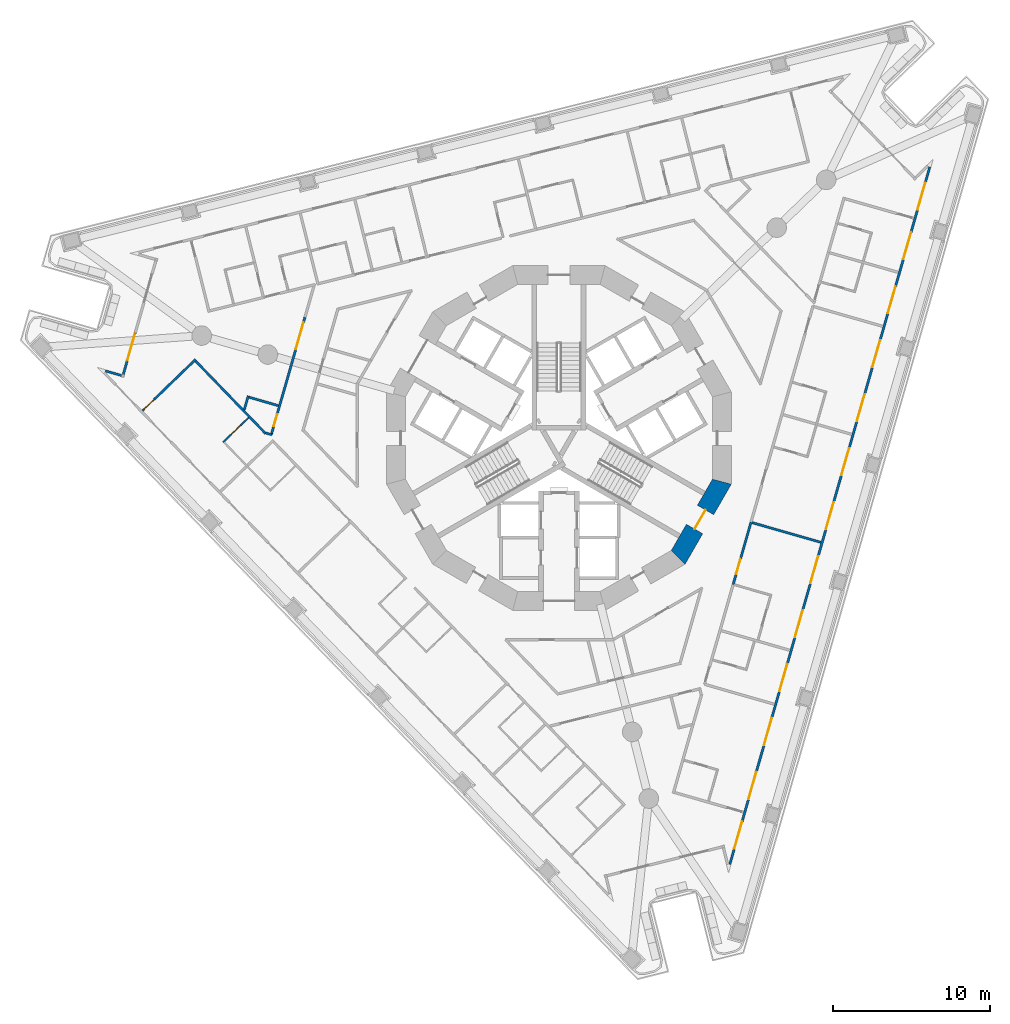
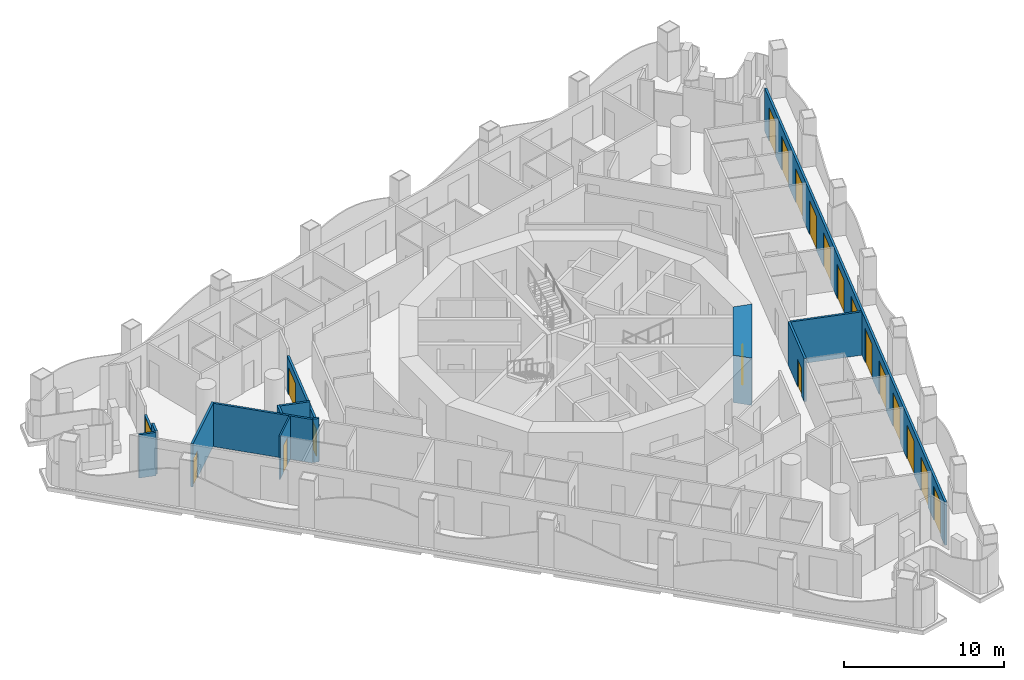
# One storey, part 5 of 18: 20 doors, 14 walls, 20 openings.
"""IFC4 building model written with IfcOpenShell, lengths in metres."""

from ifc_helpers import new_model, si_unit, direction, frame, frame_2d, origin, place, context, subcontext, project, spatial, polyline, rectangle, outline, extrude, material, layer, layer_set, type_object, element, fill, save


model = new_model("IFC4")

# Units and contexts
model_context = context("Model", 3, precision=1e-05, world=origin(), true_north=direction((0.0, 1.0)))
body_context = subcontext(model_context, "Body", "Model", "MODEL_VIEW")
ifc_project = project(units=[si_unit("LENGTHUNIT", "METRE"), si_unit("AREAUNIT", "SQUARE_METRE"), si_unit("VOLUMEUNIT", "CUBIC_METRE"), si_unit("PLANEANGLEUNIT", "RADIAN"), si_unit("MASSUNIT", "GRAM", prefix="KILO")], contexts=[model_context])

# Site, building, storey
site_placement = place(None, origin())
site = spatial("IfcSite", under=ifc_project, at=site_placement, CompositionType="ELEMENT")
building_placement = place(site_placement, origin())
building = spatial("IfcBuilding", under=site, at=building_placement, Name="Trine Commons Tower", CompositionType="ELEMENT")
storey_placement = place(building_placement, frame((0.0, 0.0, 90.89990234375)))
storey = spatial("IfcBuildingStorey", under=building, at=storey_placement, Name="L22", CompositionType="ELEMENT", Elevation=90.89990234375)

# Walls
ifc_material_1 = material(Name="Aluminium-framed insulated wall panel", Category="aluminium")
ifc_layer_1 = layer(ifc_material_1, 0.14990234375)
ifc_layer_set_1 = layer_set([ifc_layer_1], Name="Aluminium-framed insulated wall panel")
wall_type_1 = type_object("IfcWallType", Name="Glazed frame wall 150, EI 60", PredefinedType="SOLIDWALL", material=ifc_layer_set_1)
wall_1_placement = place(storey_placement, frame((50.88232421875, 66.82861328125, 0.0), z_axis=(0.0, 0.0, 1.0), x_axis=(0.961290718071, -0.275536123495, 0.0)))
element("IfcWall", 1, at=wall_1_placement, inside=storey, type_object=wall_type_1, Name="Glazed frame wall R1", PredefinedType="SOLIDWALL", context=body_context, shape_type="SweptSolid", body=[
    extrude(outline(polyline([(0.1494140625, 0.074951171875), (0.1494140625, -0.074951171875), (1.235107421875, -0.074951171875), (1.235107421875, 0.074951171875), (0.1494140625, 0.074951171875)])), origin(), (0.0, 0.0, 1.0), 3.300048828125),
])
wall_2_placement = place(storey_placement, frame((52.1318359375, 66.433837890625, 0.0), z_axis=(0.0, 0.0, 1.0), x_axis=(0.27588175927, 0.961191580749, 0.0)))
element("IfcWall", 2, at=wall_2_placement, inside=storey, type_object=wall_type_1, Name="Glazed frame wall P1.1", PredefinedType="SOLIDWALL", context=body_context, shape_type="SweptSolid", body=[
    extrude(outline(polyline([(0.110107421875, -0.074951171875), (1.0, -0.074951171875), (1.0, 0.074951171875), (0.110107421875, 0.074951171875), (0.110107421875, -0.074951171875)])), origin(), (0.0, 0.0, 1.0), 3.300048828125),
])

# Wall, opening, door
wall_3_placement = place(storey_placement, frame((52.40771484375, 67.39501953125, 0.0), z_axis=(0.0, 0.0, 1.0), x_axis=(0.275620468433, 0.961266538157, 0.0)))
wall_3 = element("IfcWall", 3, at=wall_3_placement, inside=storey, type_object=wall_type_1, Name="Glazed frame wall P1.2", PredefinedType="SOLIDWALL", context=body_context, shape_type="SweptSolid", body=[
    extrude(outline(polyline([(0.0, -0.074951171875), (1.89990234375, -0.074951171875), (1.89990234375, 0.074951171875), (0.0, 0.074951171875), (0.0, -0.074951171875)])), origin(), (0.0, 0.0, 1.0), 2.650146484375),
])
opening_1_placement = place(wall_3_placement, frame((0.050048828125, 0.0, 0.0)))
opening_1 = element("IfcOpeningElement", 4, at=opening_1_placement, cuts=wall_3, Name="Opening BD-3P1-01", PredefinedType="OPENING", context=body_context, shape_type="SweptSolid", body=[
    extrude(rectangle(XDim=1.800048828125, YDim=2.60009765625, at=frame_2d((0.89990234375, 1.300048828125))), frame((0.0, 0.0849609375, 0.0), z_axis=(0.0, -1.0, 0.0), x_axis=(1.0, 0.0, 0.0)), (0.0, 0.0, 1.0), 0.169921875),
])
ifc_material_2 = material(Name="Anodised aluminium frame with double glazing", Category="aluminium")
door_type_1 = type_object("IfcDoorType", Name="Sliding loggia door 1800x2600", OperationType="SLIDING_TO_LEFT", PredefinedType="DOOR", material=ifc_material_2)
door_1_placement = place(opening_1_placement, origin())
door_1 = element("IfcDoor", 5, at=door_1_placement, inside=storey, type_object=door_type_1, Name="Loggia door P1 1", OperationType="SLIDING_TO_LEFT", OverallHeight=2.60009765625, OverallWidth=1.800048828125, PredefinedType="DOOR", context=body_context, shape_type="SweptSolid", body=[
    extrude(rectangle(XDim=1.800048828125, YDim=2.60009765625, at=frame_2d((0.89990234375, 1.300048828125))), frame((0.0, 0.02490234375, 0.0), z_axis=(0.0, -1.0, 0.0), x_axis=(1.0, 0.0, 0.0)), (0.0, 0.0, 1.0), 0.050048828125),
])
fill(opening_1, door_1)

# Wall, openings, doors
wall_4_placement = place(storey_placement, frame((103.735107421875, 79.95703125, 0.0), z_axis=(0.0, 0.0, 1.0), x_axis=(-0.275637625225, -0.961261618687, 0.0)))
wall_4 = element("IfcWall", 6, at=wall_4_placement, inside=storey, type_object=wall_type_1, Name="Glazed frame wall F2", PredefinedType="SOLIDWALL", context=body_context, shape_type="SweptSolid", body=[
    extrude(outline(polyline([(0.1494140625, 0.074951171875), (0.1494140625, -0.074951171875), (46.496826171875, -0.074951171875), (46.496826171875, 0.074951171875), (0.1494140625, 0.074951171875)])), origin(), (0.0, 0.0, 1.0), 3.300048828125),
])
opening_2_placement = place(wall_4_placement, frame((1.194091796875, 0.0, 0.0)))
opening_2 = element("IfcOpeningElement", 7, at=opening_2_placement, cuts=wall_4, Name="Opening BD-3F2-01", PredefinedType="OPENING", context=body_context, shape_type="SweptSolid", body=[
    extrude(rectangle(XDim=1.800048828125, YDim=2.60009765625, at=frame_2d((0.89990234375, 1.300048828125))), frame((0.0, 0.0849609375, 0.0), z_axis=(0.0, -1.0, 0.0), x_axis=(1.0, 0.0, 0.0)), (0.0, 0.0, 1.0), 0.169921875),
])
opening_3_placement = place(wall_4_placement, frame((4.482421875, 0.0, 0.0)))
opening_3 = element("IfcOpeningElement", 8, at=opening_3_placement, cuts=wall_4, Name="Opening BD-3F2-02", PredefinedType="OPENING", context=body_context, shape_type="SweptSolid", body=[
    extrude(rectangle(XDim=1.800048828125, YDim=2.60009765625, at=frame_2d((0.89990234375, 1.300048828125))), frame((0.0, 0.0849609375, 0.0), z_axis=(0.0, -1.0, 0.0), x_axis=(1.0, 0.0, 0.0)), (0.0, 0.0, 1.0), 0.169921875),
])
opening_4_placement = place(wall_4_placement, frame((8.070556640625, 0.0, 0.0)))
opening_4 = element("IfcOpeningElement", 9, at=opening_4_placement, cuts=wall_4, Name="Opening BD-3F2-03", PredefinedType="OPENING", context=body_context, shape_type="SweptSolid", body=[
    extrude(rectangle(XDim=1.800048828125, YDim=2.60009765625, at=frame_2d((0.89990234375, 1.300048828125))), frame((0.0, 0.0849609375, 0.0), z_axis=(0.0, -1.0, 0.0), x_axis=(1.0, 0.0, 0.0)), (0.0, 0.0, 1.0), 0.169921875),
])
opening_5_placement = place(wall_4_placement, frame((11.65869140625, 0.0, 0.0)))
opening_5 = element("IfcOpeningElement", 10, at=opening_5_placement, cuts=wall_4, Name="Opening BD-3F2-04", PredefinedType="OPENING", context=body_context, shape_type="SweptSolid", body=[
    extrude(rectangle(XDim=1.800048828125, YDim=2.60009765625, at=frame_2d((0.89990234375, 1.300048828125))), frame((0.0, 0.0849609375, 0.0), z_axis=(0.0, -1.0, 0.0), x_axis=(1.0, 0.0, 0.0)), (0.0, 0.0, 1.0), 0.169921875),
])
opening_6_placement = place(wall_4_placement, frame((15.246826171875, 0.0, 0.0)))
opening_6 = element("IfcOpeningElement", 11, at=opening_6_placement, cuts=wall_4, Name="Opening BD-3F2-05", PredefinedType="OPENING", context=body_context, shape_type="SweptSolid", body=[
    extrude(rectangle(XDim=1.800048828125, YDim=2.60009765625, at=frame_2d((0.89990234375, 1.300048828125))), frame((0.0, 0.0849609375, 0.0), z_axis=(0.0, -1.0, 0.0), x_axis=(1.0, 0.0, 0.0)), (0.0, 0.0, 1.0), 0.169921875),
])
opening_7_placement = place(wall_4_placement, frame((18.835205078125, 0.0, 0.0)))
opening_7 = element("IfcOpeningElement", 12, at=opening_7_placement, cuts=wall_4, Name="Opening BD-3F2-06", PredefinedType="OPENING", context=body_context, shape_type="SweptSolid", body=[
    extrude(rectangle(XDim=1.800048828125, YDim=2.60009765625, at=frame_2d((0.89990234375, 1.300048828125))), frame((0.0, 0.0849609375, 0.0), z_axis=(0.0, -1.0, 0.0), x_axis=(1.0, 0.0, 0.0)), (0.0, 0.0, 1.0), 0.169921875),
])
opening_8_placement = place(wall_4_placement, frame((22.42333984375, 0.0, 0.0)))
opening_8 = element("IfcOpeningElement", 13, at=opening_8_placement, cuts=wall_4, Name="Opening BD-3F2-07", PredefinedType="OPENING", context=body_context, shape_type="SweptSolid", body=[
    extrude(rectangle(XDim=1.800048828125, YDim=2.60009765625, at=frame_2d((0.89990234375, 1.300048828125))), frame((0.0, 0.0849609375, 0.0), z_axis=(0.0, -1.0, 0.0), x_axis=(1.0, 0.0, 0.0)), (0.0, 0.0, 1.0), 0.169921875),
])
opening_9_placement = place(wall_4_placement, frame((26.011474609375, 0.0, 0.0)))
opening_9 = element("IfcOpeningElement", 14, at=opening_9_placement, cuts=wall_4, Name="Opening BD-3F2-08", PredefinedType="OPENING", context=body_context, shape_type="SweptSolid", body=[
    extrude(rectangle(XDim=1.800048828125, YDim=2.60009765625, at=frame_2d((0.89990234375, 1.300048828125))), frame((0.0, 0.0849609375, 0.0), z_axis=(0.0, -1.0, 0.0), x_axis=(1.0, 0.0, 0.0)), (0.0, 0.0, 1.0), 0.169921875),
])
opening_10_placement = place(wall_4_placement, frame((29.599609375, 0.0, 0.0)))
opening_10 = element("IfcOpeningElement", 15, at=opening_10_placement, cuts=wall_4, Name="Opening BD-3F2-09", PredefinedType="OPENING", context=body_context, shape_type="SweptSolid", body=[
    extrude(rectangle(XDim=1.800048828125, YDim=2.60009765625, at=frame_2d((0.89990234375, 1.300048828125))), frame((0.0, 0.0849609375, 0.0), z_axis=(0.0, -1.0, 0.0), x_axis=(1.0, 0.0, 0.0)), (0.0, 0.0, 1.0), 0.169921875),
])
opening_11_placement = place(wall_4_placement, frame((33.18798828125, 0.0, 0.0)))
opening_11 = element("IfcOpeningElement", 16, at=opening_11_placement, cuts=wall_4, Name="Opening BD-3F2-10", PredefinedType="OPENING", context=body_context, shape_type="SweptSolid", body=[
    extrude(rectangle(XDim=1.800048828125, YDim=2.60009765625, at=frame_2d((0.89990234375, 1.300048828125))), frame((0.0, 0.0849609375, 0.0), z_axis=(0.0, -1.0, 0.0), x_axis=(1.0, 0.0, 0.0)), (0.0, 0.0, 1.0), 0.169921875),
])
opening_12_placement = place(wall_4_placement, frame((36.776123046875, 0.0, 0.0)))
opening_12 = element("IfcOpeningElement", 17, at=opening_12_placement, cuts=wall_4, Name="Opening BD-3F2-11", PredefinedType="OPENING", context=body_context, shape_type="SweptSolid", body=[
    extrude(rectangle(XDim=1.800048828125, YDim=2.60009765625, at=frame_2d((0.89990234375, 1.300048828125))), frame((0.0, 0.0849609375, 0.0), z_axis=(0.0, -1.0, 0.0), x_axis=(1.0, 0.0, 0.0)), (0.0, 0.0, 1.0), 0.169921875),
])
opening_13_placement = place(wall_4_placement, frame((40.3642578125, 0.0, 0.0)))
opening_13 = element("IfcOpeningElement", 18, at=opening_13_placement, cuts=wall_4, Name="Opening BD-3F2-12", PredefinedType="OPENING", context=body_context, shape_type="SweptSolid", body=[
    extrude(rectangle(XDim=1.800048828125, YDim=2.60009765625, at=frame_2d((0.89990234375, 1.300048828125))), frame((0.0, 0.0849609375, 0.0), z_axis=(0.0, -1.0, 0.0), x_axis=(1.0, 0.0, 0.0)), (0.0, 0.0, 1.0), 0.169921875),
])
opening_14_placement = place(wall_4_placement, frame((43.652587890625, 0.0, 0.0)))
opening_14 = element("IfcOpeningElement", 19, at=opening_14_placement, cuts=wall_4, Name="Opening BD-3F2-13", PredefinedType="OPENING", context=body_context, shape_type="SweptSolid", body=[
    extrude(rectangle(XDim=1.800048828125, YDim=2.60009765625, at=frame_2d((0.89990234375, 1.300048828125))), frame((0.0, 0.0849609375, 0.0), z_axis=(0.0, -1.0, 0.0), x_axis=(1.0, 0.0, 0.0)), (0.0, 0.0, 1.0), 0.169921875),
])
door_2_placement = place(opening_2_placement, origin())
door_2 = element("IfcDoor", 20, at=door_2_placement, inside=storey, type_object=door_type_1, Name="Loggia door F2 1", OperationType="SLIDING_TO_LEFT", OverallHeight=2.60009765625, OverallWidth=1.800048828125, PredefinedType="DOOR", context=body_context, shape_type="SweptSolid", body=[
    extrude(rectangle(XDim=1.800048828125, YDim=2.60009765625, at=frame_2d((0.89990234375, 1.300048828125))), frame((0.0, 0.02490234375, 0.0), z_axis=(0.0, -1.0, 0.0), x_axis=(1.0, 0.0, 0.0)), (0.0, 0.0, 1.0), 0.050048828125),
])
fill(opening_2, door_2)
door_3_placement = place(opening_3_placement, origin())
door_3 = element("IfcDoor", 21, at=door_3_placement, inside=storey, type_object=door_type_1, Name="Loggia door F2 2", OperationType="SLIDING_TO_LEFT", OverallHeight=2.60009765625, OverallWidth=1.800048828125, PredefinedType="DOOR", context=body_context, shape_type="SweptSolid", body=[
    extrude(rectangle(XDim=1.800048828125, YDim=2.60009765625, at=frame_2d((0.89990234375, 1.300048828125))), frame((0.0, 0.02490234375, 0.0), z_axis=(0.0, -1.0, 0.0), x_axis=(1.0, 0.0, 0.0)), (0.0, 0.0, 1.0), 0.050048828125),
])
fill(opening_3, door_3)
door_4_placement = place(opening_4_placement, origin())
door_4 = element("IfcDoor", 22, at=door_4_placement, inside=storey, type_object=door_type_1, Name="Loggia door F2 3", OperationType="SLIDING_TO_LEFT", OverallHeight=2.60009765625, OverallWidth=1.800048828125, PredefinedType="DOOR", context=body_context, shape_type="SweptSolid", body=[
    extrude(rectangle(XDim=1.800048828125, YDim=2.60009765625, at=frame_2d((0.89990234375, 1.300048828125))), frame((0.0, 0.02490234375, 0.0), z_axis=(0.0, -1.0, 0.0), x_axis=(1.0, 0.0, 0.0)), (0.0, 0.0, 1.0), 0.050048828125),
])
fill(opening_4, door_4)
door_5_placement = place(opening_5_placement, origin())
door_5 = element("IfcDoor", 23, at=door_5_placement, inside=storey, type_object=door_type_1, Name="Loggia door F2 4", OperationType="SLIDING_TO_LEFT", OverallHeight=2.60009765625, OverallWidth=1.800048828125, PredefinedType="DOOR", context=body_context, shape_type="SweptSolid", body=[
    extrude(rectangle(XDim=1.800048828125, YDim=2.60009765625, at=frame_2d((0.89990234375, 1.300048828125))), frame((0.0, 0.02490234375, 0.0), z_axis=(0.0, -1.0, 0.0), x_axis=(1.0, 0.0, 0.0)), (0.0, 0.0, 1.0), 0.050048828125),
])
fill(opening_5, door_5)
door_6_placement = place(opening_6_placement, origin())
door_6 = element("IfcDoor", 24, at=door_6_placement, inside=storey, type_object=door_type_1, Name="Loggia door F2 5", OperationType="SLIDING_TO_LEFT", OverallHeight=2.60009765625, OverallWidth=1.800048828125, PredefinedType="DOOR", context=body_context, shape_type="SweptSolid", body=[
    extrude(rectangle(XDim=1.800048828125, YDim=2.60009765625, at=frame_2d((0.89990234375, 1.300048828125))), frame((0.0, 0.02490234375, 0.0), z_axis=(0.0, -1.0, 0.0), x_axis=(1.0, 0.0, 0.0)), (0.0, 0.0, 1.0), 0.050048828125),
])
fill(opening_6, door_6)
door_7_placement = place(opening_7_placement, origin())
door_7 = element("IfcDoor", 25, at=door_7_placement, inside=storey, type_object=door_type_1, Name="Loggia door F2 6", OperationType="SLIDING_TO_LEFT", OverallHeight=2.60009765625, OverallWidth=1.800048828125, PredefinedType="DOOR", context=body_context, shape_type="SweptSolid", body=[
    extrude(rectangle(XDim=1.800048828125, YDim=2.60009765625, at=frame_2d((0.89990234375, 1.300048828125))), frame((0.0, 0.02490234375, 0.0), z_axis=(0.0, -1.0, 0.0), x_axis=(1.0, 0.0, 0.0)), (0.0, 0.0, 1.0), 0.050048828125),
])
fill(opening_7, door_7)
door_8_placement = place(opening_8_placement, origin())
door_8 = element("IfcDoor", 26, at=door_8_placement, inside=storey, type_object=door_type_1, Name="Loggia door F2 7", OperationType="SLIDING_TO_LEFT", OverallHeight=2.60009765625, OverallWidth=1.800048828125, PredefinedType="DOOR", context=body_context, shape_type="SweptSolid", body=[
    extrude(rectangle(XDim=1.800048828125, YDim=2.60009765625, at=frame_2d((0.89990234375, 1.300048828125))), frame((0.0, 0.02490234375, 0.0), z_axis=(0.0, -1.0, 0.0), x_axis=(1.0, 0.0, 0.0)), (0.0, 0.0, 1.0), 0.050048828125),
])
fill(opening_8, door_8)
door_9_placement = place(opening_9_placement, origin())
door_9 = element("IfcDoor", 27, at=door_9_placement, inside=storey, type_object=door_type_1, Name="Loggia door F2 8", OperationType="SLIDING_TO_LEFT", OverallHeight=2.60009765625, OverallWidth=1.800048828125, PredefinedType="DOOR", context=body_context, shape_type="SweptSolid", body=[
    extrude(rectangle(XDim=1.800048828125, YDim=2.60009765625, at=frame_2d((0.89990234375, 1.300048828125))), frame((0.0, 0.02490234375, 0.0), z_axis=(0.0, -1.0, 0.0), x_axis=(1.0, 0.0, 0.0)), (0.0, 0.0, 1.0), 0.050048828125),
])
fill(opening_9, door_9)
door_10_placement = place(opening_10_placement, origin())
door_10 = element("IfcDoor", 28, at=door_10_placement, inside=storey, type_object=door_type_1, Name="Loggia door F2 9", OperationType="SLIDING_TO_LEFT", OverallHeight=2.60009765625, OverallWidth=1.800048828125, PredefinedType="DOOR", context=body_context, shape_type="SweptSolid", body=[
    extrude(rectangle(XDim=1.800048828125, YDim=2.60009765625, at=frame_2d((0.89990234375, 1.300048828125))), frame((0.0, 0.02490234375, 0.0), z_axis=(0.0, -1.0, 0.0), x_axis=(1.0, 0.0, 0.0)), (0.0, 0.0, 1.0), 0.050048828125),
])
fill(opening_10, door_10)
door_11_placement = place(opening_11_placement, origin())
door_11 = element("IfcDoor", 29, at=door_11_placement, inside=storey, type_object=door_type_1, Name="Loggia door F2 10", OperationType="SLIDING_TO_LEFT", OverallHeight=2.60009765625, OverallWidth=1.800048828125, PredefinedType="DOOR", context=body_context, shape_type="SweptSolid", body=[
    extrude(rectangle(XDim=1.800048828125, YDim=2.60009765625, at=frame_2d((0.89990234375, 1.300048828125))), frame((0.0, 0.02490234375, 0.0), z_axis=(0.0, -1.0, 0.0), x_axis=(1.0, 0.0, 0.0)), (0.0, 0.0, 1.0), 0.050048828125),
])
fill(opening_11, door_11)
door_12_placement = place(opening_12_placement, origin())
door_12 = element("IfcDoor", 30, at=door_12_placement, inside=storey, type_object=door_type_1, Name="Loggia door F2 11", OperationType="SLIDING_TO_LEFT", OverallHeight=2.60009765625, OverallWidth=1.800048828125, PredefinedType="DOOR", context=body_context, shape_type="SweptSolid", body=[
    extrude(rectangle(XDim=1.800048828125, YDim=2.60009765625, at=frame_2d((0.89990234375, 1.300048828125))), frame((0.0, 0.02490234375, 0.0), z_axis=(0.0, -1.0, 0.0), x_axis=(1.0, 0.0, 0.0)), (0.0, 0.0, 1.0), 0.050048828125),
])
fill(opening_12, door_12)
door_13_placement = place(opening_13_placement, origin())
door_13 = element("IfcDoor", 31, at=door_13_placement, inside=storey, type_object=door_type_1, Name="Loggia door F2 12", OperationType="SLIDING_TO_LEFT", OverallHeight=2.60009765625, OverallWidth=1.800048828125, PredefinedType="DOOR", context=body_context, shape_type="SweptSolid", body=[
    extrude(rectangle(XDim=1.800048828125, YDim=2.60009765625, at=frame_2d((0.89990234375, 1.300048828125))), frame((0.0, 0.02490234375, 0.0), z_axis=(0.0, -1.0, 0.0), x_axis=(1.0, 0.0, 0.0)), (0.0, 0.0, 1.0), 0.050048828125),
])
fill(opening_13, door_13)
door_14_placement = place(opening_14_placement, origin())
door_14 = element("IfcDoor", 32, at=door_14_placement, inside=storey, type_object=door_type_1, Name="Loggia door F2 13", OperationType="SLIDING_TO_LEFT", OverallHeight=2.60009765625, OverallWidth=1.800048828125, PredefinedType="DOOR", context=body_context, shape_type="SweptSolid", body=[
    extrude(rectangle(XDim=1.800048828125, YDim=2.60009765625, at=frame_2d((0.89990234375, 1.300048828125))), frame((0.0, 0.02490234375, 0.0), z_axis=(0.0, -1.0, 0.0), x_axis=(1.0, 0.0, 0.0)), (0.0, 0.0, 1.0), 0.050048828125),
])
fill(opening_14, door_14)

# Wall, opening, door
ifc_material_3 = material(Name="Concrete C70/85", Category="concrete")
ifc_layer_2 = layer(ifc_material_3, 1.199951171875)
ifc_layer_set_2 = layer_set([ifc_layer_2], Name="Concrete C70/85")
wall_type_2 = type_object("IfcWallType", Name="RC shear wall 1200 mm, C70/85", PredefinedType="SHEAR", material=ifc_layer_set_2)
wall_5_placement = place(storey_placement, frame((87.54150390625, 54.739013671875, 0.0), z_axis=(0.0, 0.0, 1.0), x_axis=(0.499979111662, 0.866037463336, 0.0)))
wall_5 = element("IfcWall", 33, at=wall_5_placement, inside=storey, type_object=wall_type_2, Name="Core wall CWC-12 L22", PredefinedType="SHEAR", context=body_context, shape_type="SweptSolid", body=[
    extrude(outline(polyline([(0.0, -0.60009765625), (5.901123046875, -0.60009765625), (5.57958984375, 0.60009765625), (0.321533203125, 0.60009765625), (0.0, -0.60009765625)])), origin(), (0.0, 0.0, 1.0), 3.60009765625),
])
opening_15_placement = place(wall_5_placement, frame((2.25048828125, 0.0, 0.0)))
opening_15 = element("IfcOpeningElement", 34, at=opening_15_placement, cuts=wall_5, Name="Opening K05.03", PredefinedType="OPENING", context=body_context, shape_type="SweptSolid", body=[
    extrude(rectangle(XDim=1.39990234375, YDim=2.10009765625, at=frame_2d((0.699951171875, 1.050048828125))), frame((0.0, 0.60986328125, 0.0), z_axis=(0.0, -1.0, 0.0), x_axis=(1.0, 0.0, 0.0)), (0.0, 0.0, 1.0), 1.219970703125),
])
ifc_material_4 = material(Name="Steel door leaves, fire-rated", Category="steel")
door_type_2 = type_object("IfcDoorType", Name="Stair door, double leaf 1400 x 2100, FD90", OperationType="DOUBLE_DOOR_SINGLE_SWING", PredefinedType="DOOR", material=ifc_material_4)
door_15_placement = place(opening_15_placement, origin())
door_15 = element("IfcDoor", 35, at=door_15_placement, inside=storey, type_object=door_type_2, Name="Stair door to Exit stair ST3A L22", OperationType="DOUBLE_DOOR_SINGLE_SWING", OverallHeight=2.10009765625, OverallWidth=1.39990234375, PredefinedType="DOOR", context=body_context, shape_type="SweptSolid", body=[
    extrude(rectangle(XDim=1.39990234375, YDim=2.10009765625, at=frame_2d((0.699951171875, 1.050048828125))), frame((0.0, 0.02490234375, 0.0), z_axis=(0.0, -1.0, 0.0), x_axis=(1.0, 0.0, 0.0)), (0.0, 0.0, 1.0), 0.050048828125),
])
fill(opening_15, door_15)

ifc_material_5 = material(Name="Gypsum plasterboard on steel stud", Category="steel")
ifc_layer_3 = layer(ifc_material_5, 0.14990234375)
ifc_layer_set_3 = layer_set([ifc_layer_3], Name="Gypsum plasterboard on steel stud")
wall_type_3 = type_object("IfcWallType", Name="Unit and corridor wall 150 mm, EI 60", PredefinedType="PARTITIONING", material=ifc_layer_set_3)
wall_6_placement = place(storey_placement, frame((53.393798828125, 64.24169921875, 0.0), z_axis=(0.0, 0.0, 1.0), x_axis=(0.719250925674, 0.694750391088, 0.0)))
wall_6 = element("IfcWall", 36, at=wall_6_placement, inside=storey, type_object=wall_type_3, Name="Partition 001", PredefinedType="PARTITIONING", context=body_context, shape_type="SweptSolid", body=[
    extrude(rectangle(XDim=4.723388671875, YDim=0.14990234375, at=frame_2d((2.36181640625, 0.0))), origin(), (0.0, 0.0, 1.0), 3.300048828125),
])
opening_16_placement = place(wall_6_placement, frame((0.14990234375, 0.0, 0.0)))
opening_16 = element("IfcOpeningElement", 37, at=opening_16_placement, cuts=wall_6, Name="Opening D-3A28", PredefinedType="OPENING", context=body_context, shape_type="SweptSolid", body=[
    extrude(rectangle(XDim=0.89990234375, YDim=2.10009765625, at=frame_2d((0.449951171875, 1.050048828125))), frame((0.0, 0.0849609375, 0.0), z_axis=(0.0, -1.0, 0.0), x_axis=(1.0, 0.0, 0.0)), (0.0, 0.0, 1.0), 0.169921875),
])
ifc_material_6 = material(Name="Timber fire door set", Category="wood")
door_type_3 = type_object("IfcDoorType", Name="Bedroom door 900 x 2100, FD30S", OperationType="NOTDEFINED", PredefinedType="DOOR", material=ifc_material_6)
door_16_placement = place(opening_16_placement, frame((0.89990234375, 0.0, 0.0), z_axis=(0.0, 0.0, 1.0), x_axis=(-1.0, 0.0, 0.0)))
door_16 = element("IfcDoor", 38, at=door_16_placement, inside=storey, type_object=door_type_3, Name="Door D-3A28", OperationType="SINGLE_SWING_RIGHT", OverallHeight=2.10009765625, OverallWidth=0.89990234375, PredefinedType="DOOR", context=body_context, shape_type="SweptSolid", body=[
    extrude(rectangle(XDim=0.89990234375, YDim=2.10009765625, at=frame_2d((0.449951171875, 1.050048828125))), frame((0.0, 0.02490234375, 0.0), z_axis=(0.0, -1.0, 0.0), x_axis=(1.0, 0.0, 0.0)), (0.0, 0.0, 1.0), 0.050048828125),
])
fill(opening_16, door_16)

# Walls
wall_7_placement = place(storey_placement, frame((56.7890625, 67.4169921875, 0.0), z_axis=(0.0, 0.0, 1.0), x_axis=(0.694658112977, -0.719340048986, 0.0)))
element("IfcWall", 39, at=wall_7_placement, inside=storey, type_object=wall_type_3, Name="Partition 003", PredefinedType="PARTITIONING", context=body_context, shape_type="SweptSolid", body=[
    extrude(rectangle(XDim=6.439453125, YDim=0.14990234375, at=frame_2d((3.2197265625, 0.0))), origin(), (0.0, 0.0, 1.0), 3.300048828125),
])
wall_8_placement = place(storey_placement, frame((59.8935546875, 64.295166015625, 0.0), z_axis=(0.0, 0.0, 1.0), x_axis=(0.275099226296, 0.96141583911, 0.0)))
element("IfcWall", 40, at=wall_8_placement, inside=storey, type_object=wall_type_3, Name="Partition 011", PredefinedType="PARTITIONING", context=body_context, shape_type="SweptSolid", body=[
    extrude(rectangle(XDim=0.93798828125, YDim=0.14990234375, at=frame_2d((0.468994140625, 0.0))), origin(), (0.0, 0.0, 1.0), 3.300048828125),
])
wall_9_placement = place(storey_placement, frame((60.203125, 65.104248046875, 0.0), z_axis=(0.0, 0.0, 1.0), x_axis=(0.961258970078, -0.275646861845, 0.0)))
element("IfcWall", 41, at=wall_9_placement, inside=storey, type_object=wall_type_3, Name="Partition 013", PredefinedType="PARTITIONING", context=body_context, shape_type="SweptSolid", body=[
    extrude(rectangle(XDim=1.9501953125, YDim=0.14990234375, at=frame_2d((0.97509765625, 0.0))), origin(), (0.0, 0.0, 1.0), 3.300048828125),
])
wall_10_placement = place(storey_placement, frame((61.261962890625, 62.823974609375, 0.0), z_axis=(0.0, 0.0, 1.0), x_axis=(0.960829843292, -0.2771389764, 0.0)))
element("IfcWall", 42, at=wall_10_placement, inside=storey, type_object=wall_type_3, Name="Partition 016", PredefinedType="PARTITIONING", context=body_context, shape_type="SweptSolid", body=[
    extrude(rectangle(XDim=0.39990234375, YDim=0.14990234375, at=frame_2d((0.199951171875, 0.0))), origin(), (0.0, 0.0, 1.0), 3.300048828125),
])

# Wall, openings, doors
wall_11_placement = place(storey_placement, frame((61.625, 62.715087890625, 0.0), z_axis=(0.0, 0.0, 1.0), x_axis=(0.275614307244, 0.961268304711, 0.0)))
wall_11 = element("IfcWall", 43, at=wall_11_placement, inside=storey, type_object=wall_type_3, Name="Partition 018", PredefinedType="PARTITIONING", context=body_context, shape_type="SweptSolid", body=[
    extrude(rectangle(XDim=7.796875, YDim=0.14990234375, at=frame_2d((3.8984375, 0.0))), origin(), (0.0, 0.0, 1.0), 2.75),
])
opening_17_placement = place(wall_11_placement, frame((5.67919921875, 0.0, 0.0)))
opening_17 = element("IfcOpeningElement", 44, at=opening_17_placement, cuts=wall_11, Name="Opening D-3A03", PredefinedType="OPENING", context=body_context, shape_type="SweptSolid", body=[
    extrude(rectangle(XDim=1.800048828125, YDim=2.10009765625, at=frame_2d((0.89990234375, 1.050048828125))), frame((0.0, 0.0849609375, 0.0), z_axis=(0.0, -1.0, 0.0), x_axis=(1.0, 0.0, 0.0)), (0.0, 0.0, 1.0), 0.169921875),
])
opening_18_placement = place(wall_11_placement, frame((0.554443359375, 0.0, 0.0)))
opening_18 = element("IfcOpeningElement", 45, at=opening_18_placement, cuts=wall_11, Name="Opening D-3A06", PredefinedType="OPENING", context=body_context, shape_type="SweptSolid", body=[
    extrude(rectangle(XDim=0.800048828125, YDim=2.10009765625, at=frame_2d((0.39990234375, 1.050048828125))), frame((0.0, 0.0849609375, 0.0), z_axis=(0.0, -1.0, 0.0), x_axis=(1.0, 0.0, 0.0)), (0.0, 0.0, 1.0), 0.169921875),
])
door_type_4 = type_object("IfcDoorType", Name="Cluster entrance door 1800 x 2100, double leaf, FD30S", OperationType="DOUBLE_DOOR_DOUBLE_SWING", PredefinedType="DOOR", material=ifc_material_6)
door_17_placement = place(opening_17_placement, origin())
door_17 = element("IfcDoor", 46, at=door_17_placement, inside=storey, type_object=door_type_4, Name="Door D-3A03", OperationType="DOUBLE_DOOR_DOUBLE_SWING", OverallHeight=2.10009765625, OverallWidth=1.800048828125, PredefinedType="DOOR", context=body_context, shape_type="SweptSolid", body=[
    extrude(rectangle(XDim=1.800048828125, YDim=2.10009765625, at=frame_2d((0.89990234375, 1.050048828125))), frame((0.0, 0.02490234375, 0.0), z_axis=(0.0, -1.0, 0.0), x_axis=(1.0, 0.0, 0.0)), (0.0, 0.0, 1.0), 0.050048828125),
])
fill(opening_17, door_17)
ifc_material_7 = material(Name="Painted timber", Category="wood")
door_type_5 = type_object("IfcDoorType", Name="Toilet door 800 x 2100, NOT RATED", OperationType="NOTDEFINED", PredefinedType="DOOR", material=ifc_material_7)
door_18_placement = place(opening_18_placement, origin())
door_18 = element("IfcDoor", 47, at=door_18_placement, inside=storey, type_object=door_type_5, Name="Door D-3A06", OperationType="SINGLE_SWING_LEFT", OverallHeight=2.10009765625, OverallWidth=0.800048828125, PredefinedType="DOOR", context=body_context, shape_type="SweptSolid", body=[
    extrude(rectangle(XDim=0.800048828125, YDim=2.10009765625, at=frame_2d((0.39990234375, 1.050048828125))), frame((0.0, 0.02490234375, 0.0), z_axis=(0.0, -1.0, 0.0), x_axis=(1.0, 0.0, 0.0)), (0.0, 0.0, 1.0), 0.050048828125),
])
fill(opening_18, door_18)

# Wall, opening, door
wall_12_placement = place(storey_placement, frame((91.134033203125, 53.14404296875, 0.0), z_axis=(0.0, 0.0, 1.0), x_axis=(0.275508856515, 0.961298533226, 0.0)))
wall_12 = element("IfcWall", 48, at=wall_12_placement, inside=storey, type_object=wall_type_3, Name="Partition 107", PredefinedType="PARTITIONING", context=body_context, shape_type="SweptSolid", body=[
    extrude(rectangle(XDim=4.1337890625, YDim=0.14990234375, at=frame_2d((2.06689453125, 0.0))), origin(), (0.0, 0.0, 1.0), 3.300048828125),
])
opening_19_placement = place(wall_12_placement, frame((0.69189453125, 0.0, 0.0)))
opening_19 = element("IfcOpeningElement", 49, at=opening_19_placement, cuts=wall_12, Name="Opening D-3A19", PredefinedType="OPENING", context=body_context, shape_type="SweptSolid", body=[
    extrude(rectangle(XDim=1.0, YDim=2.10009765625, at=frame_2d((0.5, 1.050048828125))), frame((0.0, 0.0849609375, 0.0), z_axis=(0.0, -1.0, 0.0), x_axis=(1.0, 0.0, 0.0)), (0.0, 0.0, 1.0), 0.169921875),
])
door_type_6 = type_object("IfcDoorType", Name="Bedroom door 1000 x 2100, FD30S", OperationType="NOTDEFINED", PredefinedType="DOOR", material=ifc_material_6)
door_19_placement = place(opening_19_placement, frame((1.0, 0.0, 0.0), z_axis=(0.0, 0.0, 1.0), x_axis=(-1.0, 0.0, 0.0)))
door_19 = element("IfcDoor", 50, at=door_19_placement, inside=storey, type_object=door_type_6, Name="Door D-3A19", OperationType="SINGLE_SWING_RIGHT", OverallHeight=2.10009765625, OverallWidth=1.0, PredefinedType="DOOR", context=body_context, shape_type="SweptSolid", body=[
    extrude(rectangle(XDim=1.0, YDim=2.10009765625, at=frame_2d((0.5, 1.050048828125))), frame((0.0, 0.02490234375, 0.0), z_axis=(0.0, -1.0, 0.0), x_axis=(1.0, 0.0, 0.0)), (0.0, 0.0, 1.0), 0.050048828125),
])
fill(opening_19, door_19)

# Wall
wall_13_placement = place(storey_placement, frame((92.343994140625, 57.09326171875, 0.0), z_axis=(0.0, 0.0, 1.0), x_axis=(0.961269673231, -0.275609534171, 0.0)))
element("IfcWall", 51, at=wall_13_placement, inside=storey, type_object=wall_type_3, Name="Partition 112", PredefinedType="PARTITIONING", context=body_context, shape_type="SweptSolid", body=[
    extrude(rectangle(XDim=4.572509765625, YDim=0.14990234375, at=frame_2d((2.2861328125, 0.0))), origin(), (0.0, 0.0, 1.0), 3.300048828125),
])

# Wall, opening, door
ifc_layer_4 = layer(ifc_material_5, 0.10009765625)
ifc_layer_set_4 = layer_set([ifc_layer_4], Name="Gypsum plasterboard on steel stud")
wall_type_4 = type_object("IfcWallType", Name="Unit partition 100 mm, no rating", PredefinedType="PARTITIONING", material=ifc_layer_set_4)
wall_14_placement = place(storey_placement, frame((58.5380859375, 62.222412109375, 0.0), z_axis=(0.0, 0.0, 1.0), x_axis=(0.719390368222, 0.694606002068, 0.0)))
wall_14 = element("IfcWall", 52, at=wall_14_placement, inside=storey, type_object=wall_type_4, Name="Partition 006", PredefinedType="PARTITIONING", context=body_context, shape_type="SweptSolid", body=[
    extrude(rectangle(XDim=2.275390625, YDim=0.10009765625, at=frame_2d((1.1376953125, 0.0))), origin(), (0.0, 0.0, 1.0), 3.300048828125),
])
opening_20_placement = place(wall_14_placement, frame((0.7626953125, 0.0, 0.0)))
opening_20 = element("IfcOpeningElement", 53, at=opening_20_placement, cuts=wall_14, Name="Opening D-3A57", PredefinedType="OPENING", context=body_context, shape_type="SweptSolid", body=[
    extrude(rectangle(XDim=0.800048828125, YDim=2.10009765625, at=frame_2d((0.39990234375, 1.050048828125))), frame((0.0, 0.06005859375, 0.0), z_axis=(0.0, -1.0, 0.0), x_axis=(1.0, 0.0, 0.0)), (0.0, 0.0, 1.0), 0.1201171875),
])
door_type_7 = type_object("IfcDoorType", Name="Internal door 800 x 2100, NOT RATED", OperationType="NOTDEFINED", PredefinedType="DOOR", material=ifc_material_7)
door_20_placement = place(opening_20_placement, origin())
door_20 = element("IfcDoor", 54, at=door_20_placement, inside=storey, type_object=door_type_7, Name="Door D-3A57", OperationType="SINGLE_SWING_RIGHT", OverallHeight=2.10009765625, OverallWidth=0.800048828125, PredefinedType="DOOR", context=body_context, shape_type="SweptSolid", body=[
    extrude(rectangle(XDim=0.800048828125, YDim=2.10009765625, at=frame_2d((0.39990234375, 1.050048828125))), frame((0.0, 0.02490234375, 0.0), z_axis=(0.0, -1.0, 0.0), x_axis=(1.0, 0.0, 0.0)), (0.0, 0.0, 1.0), 0.050048828125),
])
fill(opening_20, door_20)

save(model, "model.ifc")
